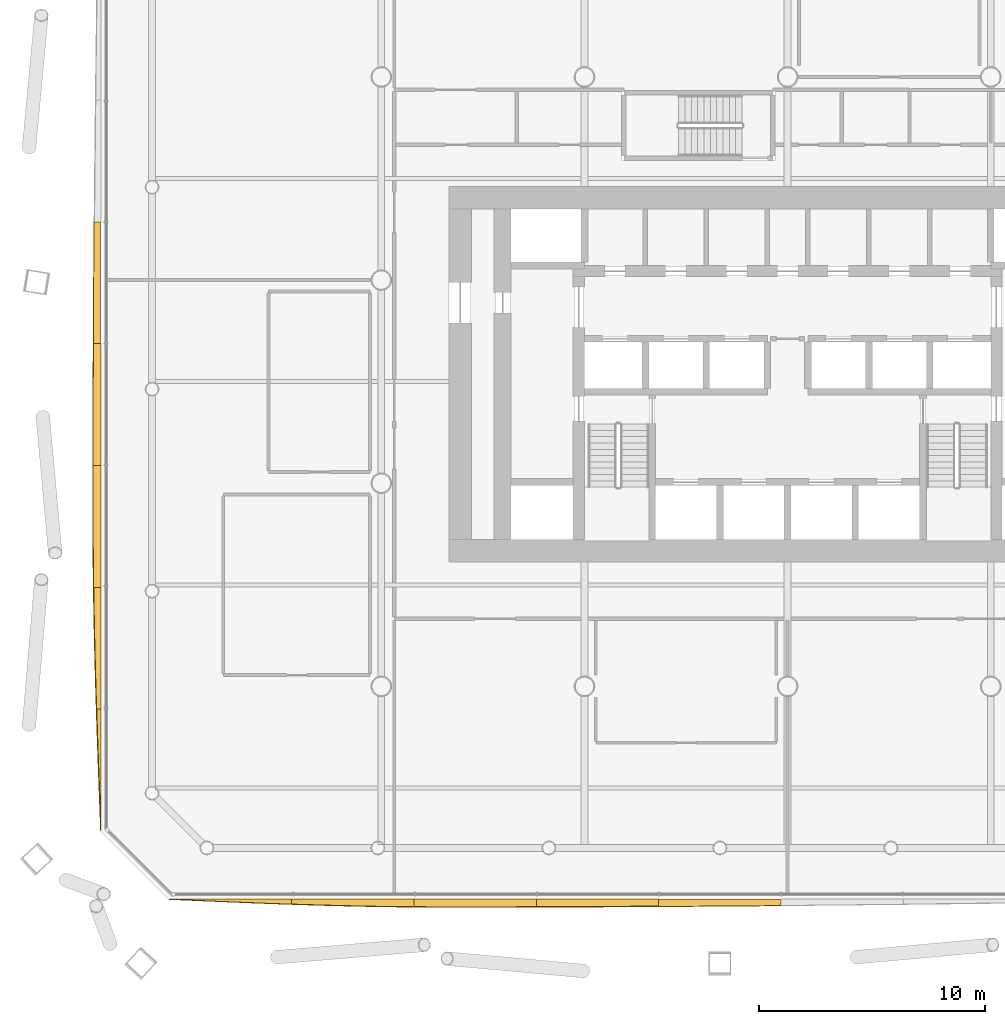
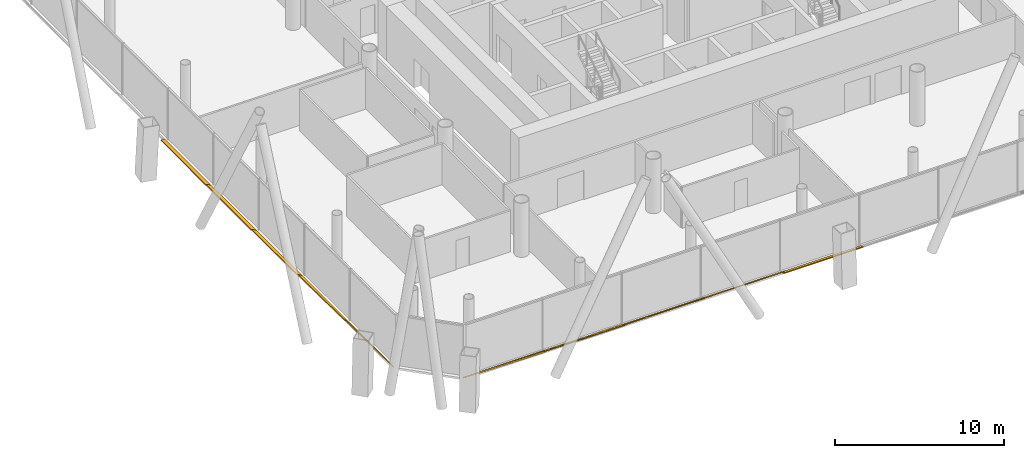
# One storey, part 21 of 25: 10 shading devices.
"""IFC4 building model written with IfcOpenShell, lengths in metres."""

from ifc_helpers import new_model, si_unit, direction, frame, origin, place, context, subcontext, project, spatial, polyline, outline, extrude, material, layer, layer_set, type_object, element, save


model = new_model("IFC4")

# Units and contexts
model_context = context("Model", 3, precision=1e-05, world=origin(), true_north=direction((0.0, 1.0)))
body_context = subcontext(model_context, "Body", "Model", "MODEL_VIEW")
ifc_project = project(units=[si_unit("LENGTHUNIT", "METRE"), si_unit("AREAUNIT", "SQUARE_METRE"), si_unit("VOLUMEUNIT", "CUBIC_METRE"), si_unit("PLANEANGLEUNIT", "RADIAN"), si_unit("MASSUNIT", "GRAM", prefix="KILO")], contexts=[model_context])

# Site, building, storey
site_placement = place(None, origin())
site = spatial("IfcSite", under=ifc_project, at=site_placement, CompositionType="ELEMENT")
building_placement = place(site_placement, origin())
building = spatial("IfcBuilding", under=site, at=building_placement, Name="Tskaro Facet Tower", CompositionType="ELEMENT")
storey_placement = place(building_placement, frame((0.0, 0.0, 22.5)))
storey = spatial("IfcBuildingStorey", under=building, at=storey_placement, Name="L04", CompositionType="ELEMENT", Elevation=22.5)

# Shading devices
ifc_material = material(Name="Bronze anodised aluminium 6063-T6", Category="aluminium")
ifc_layer = layer(ifc_material, 0.06005859375, Name="Bronze anodised aluminium 6063-T6")
ifc_layer_set = layer_set([ifc_layer], Name="Bronze anodised aluminium 6063-T6")
shading_device_type = type_object("IfcShadingDeviceType", Name="Bronze sun blade (FN1)", PredefinedType="USERDEFINED", material=ifc_layer_set)
shading_device_1_placement = place(storey_placement, frame((-27.408935546875, -27.4267578125, 0.054443359375), z_axis=(1.345875e-06, 0.422595035564, 0.906318617217), x_axis=(0.999999999999, -5.6876e-07, -1.219791e-06)))
element("IfcShadingDevice", 1, at=shading_device_1_placement, inside=storey, type_object=shading_device_type, Name="Fin blade south 1", ObjectType="FIN", PredefinedType="USERDEFINED", context=body_context, shape_type="SweptSolid", body=[
    extrude(outline(polyline([(0.0, 0.0), (5.4240722656200875, 0.0), (5.424072265634275, -0.2432417532521127), (4.746093749802889, -0.21691460454904082), (4.06811523446842, -0.1890684194132667), (3.3901367188964078, -0.1596882738833426), (2.7121582029279088, -0.12909860976902998), (2.0339355469500964, -0.09775688941909005), (1.3559570313396545, -0.06542691967841836), (0.6779785155903557, -0.032875680744089864), (0.0, 0.0)])), origin(), (0.0, 0.0, -1.0), 0.06005859375),
])
shading_device_2_placement = place(storey_placement, frame((-21.98486328125, -27.422119140625, 0.052001953125), z_axis=(1.921578e-06, 0.500064345677, 0.865988250601), x_axis=(0.999999999998, -9.60912e-07, -1.664064e-06)))
element("IfcShadingDevice", 2, at=shading_device_2_placement, inside=storey, type_object=shading_device_type, Name="Fin blade south 2", ObjectType="FIN", PredefinedType="USERDEFINED", context=body_context, shape_type="SweptSolid", body=[
    extrude(outline(polyline([(0.0, 0.0), (5.424316406239986, -5.74321839053224e-22), (5.424316406116779, -0.39388122877292076), (4.746337890596209, -0.38567450193112396), (4.068359375167255, -0.3746210298305154), (3.390136718798651, -0.360842898492989), (2.712158203146663, -0.34421802189665074), (2.03417968764922, -0.32529133188888426), (1.3562011716654596, -0.3039734915788388), (0.6782226562425102, -0.2802317518354709), (-2.2882660452910758e-10, -0.2546437936372077), (0.0, 0.0)])), origin(), (0.0, 0.0, -1.0), 0.06005859375),
])
shading_device_3_placement = place(storey_placement, frame((-16.560546875, -27.41748046875, 0.049072265625), z_axis=(-1.50845e-06, 0.573615031401, 0.819125018387), x_axis=(0.999999999999, 8.6527e-07, 1.235609e-06)))
element("IfcShadingDevice", 3, at=shading_device_3_placement, inside=storey, type_object=shading_device_type, Name="Fin blade south 3", ObjectType="FIN", PredefinedType="USERDEFINED", context=body_context, shape_type="SweptSolid", body=[
    extrude(outline(polyline([(0.0, 0.0), (5.424316406243828, 0.0), (5.424316406276936, -0.418776328548626), (4.746093749755625, -0.4207363713353267), (4.068115234281809, -0.42229645073414257), (3.390136718717577, -0.42351650570674004), (2.712158203274178, -0.4241965545591768), (2.034179687529117, -0.4247365606793376), (1.5512695312796667, -0.4247365606793376), (1.355957031279889, -0.4247365606793376), (0.6779785157469131, -0.42209646904020015), (3.527734397082764e-12, -0.41667624302964934), (0.0, 0.0)])), origin(), (0.0, 0.0, -1.0), 0.06005859375),
])
shading_device_4_placement = place(storey_placement, frame((-11.13623046875, -27.413330078125, 0.0458984375), z_axis=(-3.28438e-07, 0.642758407724, 0.766068945527), x_axis=(1.0, 2.11106e-07, 2.51606e-07)))
element("IfcShadingDevice", 4, at=shading_device_4_placement, inside=storey, type_object=shading_device_type, Name="Fin blade south 4", ObjectType="FIN", PredefinedType="USERDEFINED", context=body_context, shape_type="SweptSolid", body=[
    extrude(outline(polyline([(0.0, 0.0), (5.424072265624708, 1.4357399741477044e-22), (5.424072265636164, -0.4181541658776643), (4.746093749985122, -0.42318662740814195), (4.068115234375731, -0.4276881083969259), (3.3901367187663403, -0.43218958938570984), (2.7119140625121743, -0.4360031663934145), (2.03393554687312, -0.4394727914105795), (1.355957031224179, -0.44259846443720474), (0.6779785156267771, -0.4455371089126761), (9.600057558340165e-12, -0.4477878494070681), (0.0, 0.0)])), origin(), (0.0, 0.0, -1.0), 0.06005859375),
])
shading_device_5_placement = place(storey_placement, frame((-5.712158203125, -27.431396484375, 0.056396484375), z_axis=(-1.421079e-06, 0.341888142187, 0.939740654771), x_axis=(0.999999999999, 4.8585e-07, 1.335446e-06)))
element("IfcShadingDevice", 5, at=shading_device_5_placement, inside=storey, type_object=shading_device_type, Name="Fin blade south 5", ObjectType="FIN", PredefinedType="USERDEFINED", context=body_context, shape_type="SweptSolid", body=[
    extrude(outline(polyline([(0.0, 0.0), (5.424316406244523, 0.0), (5.424316406149514, -0.29796139802632754), (4.746337890494134, -0.3044483388586008), (4.068115234450986, -0.3104764219492861), (3.390136718825417, -0.3161916073844636), (2.7121582029924265, -0.3215938951641334), (2.034179687604089, -0.326850222857723), (1.3562011720083302, -0.33179365289580487), (0.677978515580151, -0.3364241852783789), (-1.0441262123955759e-10, -0.3408252887901591), (0.0, 0.0)])), origin(), (0.0, 0.0, -1.0), 0.06005859375),
])
shading_device_6_placement = place(storey_placement, frame((-30.431396484375, 2.579345703125, 0.056396484375), z_axis=(0.341986832534, -9.687921e-06, 0.939704744204), x_axis=(-3.313141e-06, -0.999999999953, -9.103785e-06)))
element("IfcShadingDevice", 6, at=shading_device_6_placement, inside=storey, type_object=shading_device_type, Name="Fin blade west 5", ObjectType="FIN", PredefinedType="USERDEFINED", context=body_context, shape_type="SweptSolid", body=[
    extrude(outline(polyline([(0.0, 0.0), (5.397705077871697, 2.286017020366861e-21), (5.397705079155833, -0.3501698103505765), (4.722900390667433, -0.3463110444017308), (4.04833984340888, -0.3419099453666922), (3.3735351555253397, -0.3375088463316537), (2.6987304682466577, -0.3325654142104222), (2.024169923006696, -0.32730906910657404), (1.3493652341102693, -0.32190679677819006), (0.6748046864436902, -0.3159621913636132), (3.747262872049838e-10, -0.30993409306999586), (0.0, 0.0)])), origin(), (0.0, 0.0, -1.0), 0.06005859375),
])
shading_device_7_placement = place(storey_placement, frame((-30.4267578125, -2.818359375, 0.054443359375), z_axis=(0.42259542581, 8.994904e-06, 0.906318435211), x_axis=(3.801205e-06, -0.99999999996, 8.152247e-06)))
element("IfcShadingDevice", 7, at=shading_device_7_placement, inside=storey, type_object=shading_device_type, Name="Fin blade west 6", ObjectType="FIN", PredefinedType="USERDEFINED", context=body_context, shape_type="SweptSolid", body=[
    extrude(outline(polyline([(0.0, 0.0), (5.3977050779066404, -2.286017020366861e-21), (5.397705078609136, -0.3822812576938872), (4.722900390867961, -0.3811898356741984), (4.048339843617536, -0.3795527026446651), (3.373535156670152, -0.3776943004659015), (2.6987304686605, -0.3755114564265239), (2.0241699211416013, -0.37278290137730186), (1.3493652339257411, -0.3698330771788494), (0.6745605465756436, -0.36633754197055257), (-1.4946397609998524e-10, -0.36284200676225564), (0.0, 0.0)])), origin(), (0.0, 0.0, -1.0), 0.06005859375),
])
shading_device_8_placement = place(storey_placement, frame((-30.422119140625, -8.216064453125, 0.052001953125), z_axis=(0.499991431041, -1.1099234e-05, 0.866030350948), x_axis=(-5.549522e-06, -0.999999999938, -9.612273e-06)))
element("IfcShadingDevice", 8, at=shading_device_8_placement, inside=storey, type_object=shading_device_type, Name="Fin blade west 7", ObjectType="FIN", PredefinedType="USERDEFINED", context=body_context, shape_type="SweptSolid", body=[
    extrude(outline(polyline([(0.0, 0.0), (5.397705077792521, 4.572034040733722e-21), (5.397705077265893, -0.3710179271317813), (4.7229003906557425, -0.38140438783479447), (4.048095702593666, -0.3896111101266029), (3.3735351574062613, -0.3957274589778924), (2.698730467795202, -0.3997861376384536), (2.024169922050695, -0.4014209414468572), (1.813476562688673, -0.4014209414468572), (1.3493652345922607, -0.4014209414468572), (0.674560546770845, -0.400876006844056), (-1.7804491685441454e-09, -0.40011963905009246), (0.0, 0.0)])), origin(), (0.0, 0.0, -1.0), 0.06005859375),
])
shading_device_9_placement = place(storey_placement, frame((-30.41748046875, -13.61376953125, 0.049072265625), z_axis=(0.57349397712, -2.234379e-06, 0.819209776676), x_axis=(-1.281403e-06, -0.999999999998, -1.830425e-06)))
element("IfcShadingDevice", 9, at=shading_device_9_placement, inside=storey, type_object=shading_device_type, Name="Fin blade west 8", ObjectType="FIN", PredefinedType="USERDEFINED", context=body_context, shape_type="SweptSolid", body=[
    extrude(outline(polyline([(0.0, 0.0), (5.397460937486526, 0.0), (5.397460937551604, -0.23630920659383559), (4.722900390457033, -0.26171020015949686), (4.048095702960774, -0.28555112907870356), (3.373535156312827, -0.3078319933514557), (2.698730468816311, -0.3286928061557616), (2.023925781364304, -0.347453536361836), (1.3493652344477647, -0.36445419953457164), (0.6745605468166963, -0.3796947956739684), (-1.0826168103048779e-11, -0.39249529365024116), (0.0, 0.0)])), origin(), (0.0, 0.0, -1.0), 0.06005859375),
])
shading_device_10_placement = place(storey_placement, frame((-30.413330078125, -19.01123046875, 0.0458984375), z_axis=(0.642707775124, 8.616231e-06, 0.766111425134), x_axis=(5.537718e-06, -0.999999999963, 6.600993e-06)))
element("IfcShadingDevice", 10, at=shading_device_10_placement, inside=storey, type_object=shading_device_type, Name="Fin blade west 9", ObjectType="FIN", PredefinedType="USERDEFINED", context=body_context, shape_type="SweptSolid", body=[
    extrude(outline(polyline([(0.0, 0.0), (5.3977050779246385, 0.0), (4.723144530934768, -0.03344726168336723), (4.048339843319905, -0.06689452336673446), (3.3735351551858663, -0.09965388504995014), (2.6989746103807826, -0.13203916888884829), (2.024169921467978, -0.16376668057183663), (1.349609375364952, -0.1944322144103559), (0.6748046878581694, -0.22406589824864784), (-4.273784168924932e-10, -0.25266773208671245), (0.0, 0.0)])), origin(), (0.0, 0.0, -1.0), 0.06005859375),
])

save(model, "model.ifc")
